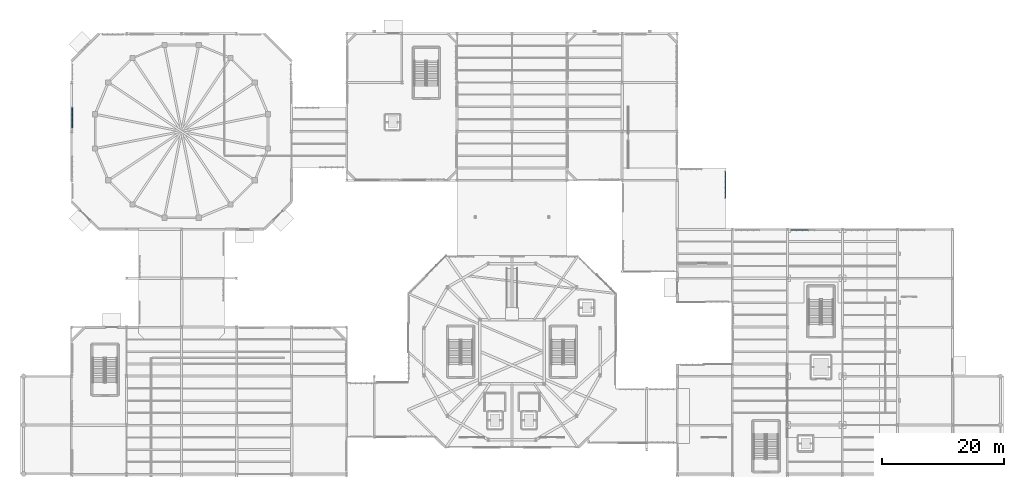
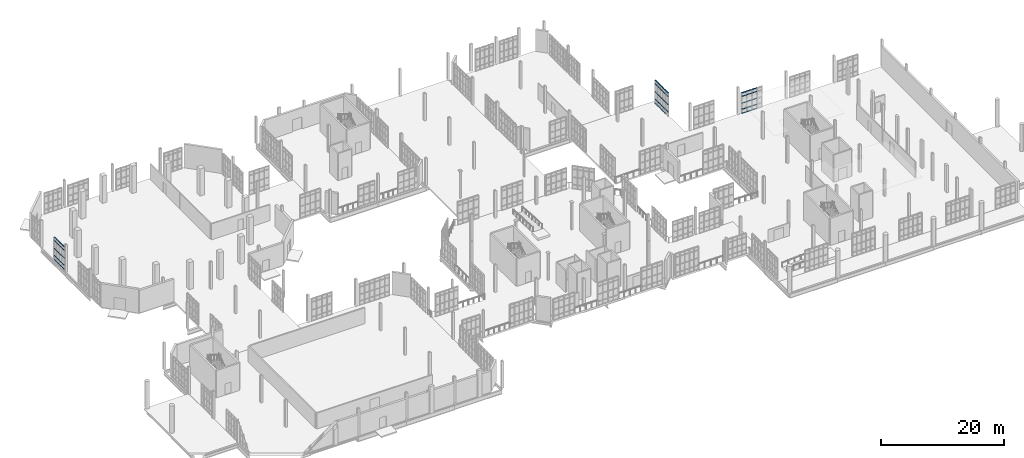
# One storey, part 131 of 189: 59 members, 3 elements without a shape of their own.
"""IFC4 building model written with IfcOpenShell, lengths in metres."""

from ifc_helpers import new_model, si_unit, direction, frame, origin, origin_2d, place, context, subcontext, project, spatial, hollow_rectangle, extrude, material, layer, layer_set, material_profile, profile_set, type_object, element, aggregate, save


model = new_model("IFC4")

# Units and contexts
model_context = context("Model", 3, precision=1e-05, world=origin(), true_north=direction((0.0, 1.0)))
body_context = subcontext(model_context, "Body", "Model", "MODEL_VIEW")
ifc_project = project(units=[si_unit("LENGTHUNIT", "METRE"), si_unit("AREAUNIT", "SQUARE_METRE"), si_unit("VOLUMEUNIT", "CUBIC_METRE"), si_unit("PLANEANGLEUNIT", "RADIAN"), si_unit("MASSUNIT", "GRAM", prefix="KILO"), si_unit("THERMODYNAMICTEMPERATUREUNIT", "KELVIN"), si_unit("POWERUNIT", "WATT")], contexts=[model_context])

# Site, building, storey
site_placement = place(None, origin())
site = spatial("IfcSite", under=ifc_project, at=site_placement, CompositionType="ELEMENT")
building_placement = place(site_placement, origin())
building = spatial("IfcBuilding", under=site, at=building_placement, Name="Zelmaris Science Centre", CompositionType="ELEMENT")
storey_placement = place(building_placement, origin())
storey = spatial("IfcBuildingStorey", under=building, at=storey_placement, Name="L00", CompositionType="ELEMENT", Elevation=0.0)

# Curtain wall, members
ifc_material = material(Name="Anodised architectural aluminium 6063-T6", Category="aluminium")
ifc_layer_1 = layer(ifc_material, 0.2099609375, Name="Anodised architectural aluminium 6063-T6")
ifc_layer_set_1 = layer_set([ifc_layer_1], Name="Anodised architectural aluminium 6063-T6")
curtain_wall_type_1 = type_object("IfcCurtainWallType", Name="Curtain Wall CW-03", PredefinedType="USERDEFINED", material=ifc_layer_set_1)
curtain_wall_1_placement = place(storey_placement, origin())
curtain_wall_1 = element("IfcCurtainWall", 1, at=curtain_wall_1_placement, inside=storey, type_object=curtain_wall_type_1, Name="L00 Unitised curtain wall 91", ObjectType="GLAZED CURTAIN WALL", PredefinedType="USERDEFINED")
ifc_material_profile_1 = material_profile(ifc_material, hollow_rectangle(XDim=0.06494140625, YDim=0.1298828125, WallThickness=0.00341796875, at=origin_2d()), Name="ALU-TRN-65X130")
ifc_profile_set_1 = profile_set([ifc_material_profile_1], Name="Anodised architectural aluminium 6063-T6")
member_type_1 = type_object("IfcMemberType", Name="ALU-TRN-65X130", PredefinedType="USERDEFINED", material=ifc_profile_set_1)
member_1_placement = place(storey_placement, frame((115.8798828125, 65.40283203125, 0.013427734375), z_axis=(0.0, -1.0, 0.0), x_axis=(0.0, 0.0, 1.0)))
member_1 = element("IfcMember", 2, at=member_1_placement, type_object=member_type_1, Name="CW-03 transom 1.1", ObjectType="TRANSOM", PredefinedType="USERDEFINED", context=body_context, shape_type="SweptSolid", body=[
    extrude(hollow_rectangle(XDim=0.06494140625, YDim=0.1298828125, WallThickness=0.00341796875, at=origin_2d()), origin(), (0.0, 0.0, 1.0), 0.788330078125),
])
member_2_placement = place(storey_placement, frame((115.8798828125, 65.40283203125, 0.8349609375), z_axis=(0.0, -1.0, 0.0), x_axis=(0.0, 0.0, 1.0)))
member_2 = element("IfcMember", 3, at=member_2_placement, type_object=member_type_1, Name="CW-03 transom 1.2", ObjectType="TRANSOM", PredefinedType="USERDEFINED", context=body_context, shape_type="SweptSolid", body=[
    extrude(hollow_rectangle(XDim=0.06494140625, YDim=0.1298828125, WallThickness=0.00341796875, at=origin_2d()), origin(), (0.0, 0.0, 1.0), 0.788330078125),
])
member_3_placement = place(storey_placement, frame((115.8798828125, 65.40283203125, 2.29248046875), z_axis=(0.0, -1.0, 0.0), x_axis=(0.0, 0.0, 1.0)))
member_3 = element("IfcMember", 4, at=member_3_placement, type_object=member_type_1, Name="CW-03 transom 1.3", ObjectType="TRANSOM", PredefinedType="USERDEFINED", context=body_context, shape_type="SweptSolid", body=[
    extrude(hollow_rectangle(XDim=0.06494140625, YDim=0.1298828125, WallThickness=0.00341796875, at=origin_2d()), origin(), (0.0, 0.0, 1.0), 0.788330078125),
])
member_4_placement = place(storey_placement, frame((115.8798828125, 65.40283203125, 3.89990234375), z_axis=(0.0, -1.0, 0.0), x_axis=(0.0, 0.0, 1.0)))
member_4 = element("IfcMember", 5, at=member_4_placement, type_object=member_type_1, Name="CW-03 transom 1.4", ObjectType="TRANSOM", PredefinedType="USERDEFINED", context=body_context, shape_type="SweptSolid", body=[
    extrude(hollow_rectangle(XDim=0.06494140625, YDim=0.1298828125, WallThickness=0.00341796875, at=origin_2d()), origin(), (0.0, 0.0, 1.0), 0.788330078125),
])
member_5_placement = place(storey_placement, frame((115.8798828125, 65.40283203125, 4.571533203125), z_axis=(0.0, -1.0, 0.0), x_axis=(0.0, 0.0, 1.0)))
member_5 = element("IfcMember", 6, at=member_5_placement, type_object=member_type_1, Name="CW-03 transom 1.5", ObjectType="TRANSOM", PredefinedType="USERDEFINED", context=body_context, shape_type="SweptSolid", body=[
    extrude(hollow_rectangle(XDim=0.06494140625, YDim=0.1298828125, WallThickness=0.00341796875, at=origin_2d()), origin(), (0.0, 0.0, 1.0), 0.788330078125),
])
member_6_placement = place(storey_placement, frame((115.8798828125, 64.557373046875, 0.013427734375), z_axis=(0.0, -1.0, 0.0), x_axis=(0.0, 0.0, 1.0)))
member_6 = element("IfcMember", 7, at=member_6_placement, type_object=member_type_1, Name="CW-03 transom 2.1", ObjectType="TRANSOM", PredefinedType="USERDEFINED", context=body_context, shape_type="SweptSolid", body=[
    extrude(hollow_rectangle(XDim=0.06494140625, YDim=0.1298828125, WallThickness=0.00341796875, at=origin_2d()), origin(), (0.0, 0.0, 1.0), 0.81689453125),
])
member_7_placement = place(storey_placement, frame((115.8798828125, 64.557373046875, 0.8349609375), z_axis=(0.0, -1.0, 0.0), x_axis=(0.0, 0.0, 1.0)))
member_7 = element("IfcMember", 8, at=member_7_placement, type_object=member_type_1, Name="CW-03 transom 2.2", ObjectType="TRANSOM", PredefinedType="USERDEFINED", context=body_context, shape_type="SweptSolid", body=[
    extrude(hollow_rectangle(XDim=0.06494140625, YDim=0.1298828125, WallThickness=0.00341796875, at=origin_2d()), origin(), (0.0, 0.0, 1.0), 0.81689453125),
])
member_8_placement = place(storey_placement, frame((115.8798828125, 64.557373046875, 2.29248046875), z_axis=(0.0, -1.0, 0.0), x_axis=(0.0, 0.0, 1.0)))
member_8 = element("IfcMember", 9, at=member_8_placement, type_object=member_type_1, Name="CW-03 transom 2.3", ObjectType="TRANSOM", PredefinedType="USERDEFINED", context=body_context, shape_type="SweptSolid", body=[
    extrude(hollow_rectangle(XDim=0.06494140625, YDim=0.1298828125, WallThickness=0.00341796875, at=origin_2d()), origin(), (0.0, 0.0, 1.0), 0.81689453125),
])
member_9_placement = place(storey_placement, frame((115.8798828125, 64.557373046875, 3.89990234375), z_axis=(0.0, -1.0, 0.0), x_axis=(0.0, 0.0, 1.0)))
member_9 = element("IfcMember", 10, at=member_9_placement, type_object=member_type_1, Name="CW-03 transom 2.4", ObjectType="TRANSOM", PredefinedType="USERDEFINED", context=body_context, shape_type="SweptSolid", body=[
    extrude(hollow_rectangle(XDim=0.06494140625, YDim=0.1298828125, WallThickness=0.00341796875, at=origin_2d()), origin(), (0.0, 0.0, 1.0), 0.81689453125),
])
member_10_placement = place(storey_placement, frame((115.8798828125, 64.557373046875, 4.571533203125), z_axis=(0.0, -1.0, 0.0), x_axis=(0.0, 0.0, 1.0)))
member_10 = element("IfcMember", 11, at=member_10_placement, type_object=member_type_1, Name="CW-03 transom 2.5", ObjectType="TRANSOM", PredefinedType="USERDEFINED", context=body_context, shape_type="SweptSolid", body=[
    extrude(hollow_rectangle(XDim=0.06494140625, YDim=0.1298828125, WallThickness=0.00341796875, at=origin_2d()), origin(), (0.0, 0.0, 1.0), 0.81689453125),
])
member_11_placement = place(storey_placement, frame((115.8798828125, 63.683349609375, 0.013427734375), z_axis=(0.0, -1.0, 0.0), x_axis=(0.0, 0.0, 1.0)))
member_11 = element("IfcMember", 12, at=member_11_placement, type_object=member_type_1, Name="CW-03 transom 3.1", ObjectType="TRANSOM", PredefinedType="USERDEFINED", context=body_context, shape_type="SweptSolid", body=[
    extrude(hollow_rectangle(XDim=0.06494140625, YDim=0.1298828125, WallThickness=0.00341796875, at=origin_2d()), origin(), (0.0, 0.0, 1.0), 0.81689453125),
])
member_12_placement = place(storey_placement, frame((115.8798828125, 63.683349609375, 0.8349609375), z_axis=(0.0, -1.0, 0.0), x_axis=(0.0, 0.0, 1.0)))
member_12 = element("IfcMember", 13, at=member_12_placement, type_object=member_type_1, Name="CW-03 transom 3.2", ObjectType="TRANSOM", PredefinedType="USERDEFINED", context=body_context, shape_type="SweptSolid", body=[
    extrude(hollow_rectangle(XDim=0.06494140625, YDim=0.1298828125, WallThickness=0.00341796875, at=origin_2d()), origin(), (0.0, 0.0, 1.0), 0.81689453125),
])
member_13_placement = place(storey_placement, frame((115.8798828125, 63.683349609375, 2.29248046875), z_axis=(0.0, -1.0, 0.0), x_axis=(0.0, 0.0, 1.0)))
member_13 = element("IfcMember", 14, at=member_13_placement, type_object=member_type_1, Name="CW-03 transom 3.3", ObjectType="TRANSOM", PredefinedType="USERDEFINED", context=body_context, shape_type="SweptSolid", body=[
    extrude(hollow_rectangle(XDim=0.06494140625, YDim=0.1298828125, WallThickness=0.00341796875, at=origin_2d()), origin(), (0.0, 0.0, 1.0), 0.81689453125),
])
member_14_placement = place(storey_placement, frame((115.8798828125, 63.683349609375, 3.89990234375), z_axis=(0.0, -1.0, 0.0), x_axis=(0.0, 0.0, 1.0)))
member_14 = element("IfcMember", 15, at=member_14_placement, type_object=member_type_1, Name="CW-03 transom 3.4", ObjectType="TRANSOM", PredefinedType="USERDEFINED", context=body_context, shape_type="SweptSolid", body=[
    extrude(hollow_rectangle(XDim=0.06494140625, YDim=0.1298828125, WallThickness=0.00341796875, at=origin_2d()), origin(), (0.0, 0.0, 1.0), 0.81689453125),
])
member_15_placement = place(storey_placement, frame((115.8798828125, 63.683349609375, 4.571533203125), z_axis=(0.0, -1.0, 0.0), x_axis=(0.0, 0.0, 1.0)))
member_15 = element("IfcMember", 16, at=member_15_placement, type_object=member_type_1, Name="CW-03 transom 3.5", ObjectType="TRANSOM", PredefinedType="USERDEFINED", context=body_context, shape_type="SweptSolid", body=[
    extrude(hollow_rectangle(XDim=0.06494140625, YDim=0.1298828125, WallThickness=0.00341796875, at=origin_2d()), origin(), (0.0, 0.0, 1.0), 0.81689453125),
])
member_16_placement = place(storey_placement, frame((115.8798828125, 62.8095703125, 0.013427734375), z_axis=(0.0, -1.0, 0.0), x_axis=(0.0, 0.0, 1.0)))
member_16 = element("IfcMember", 17, at=member_16_placement, type_object=member_type_1, Name="CW-03 transom 4.1", ObjectType="TRANSOM", PredefinedType="USERDEFINED", context=body_context, shape_type="SweptSolid", body=[
    extrude(hollow_rectangle(XDim=0.06494140625, YDim=0.1298828125, WallThickness=0.00341796875, at=origin_2d()), origin(), (0.0, 0.0, 1.0), 0.817138671875),
])
member_17_placement = place(storey_placement, frame((115.8798828125, 62.8095703125, 0.8349609375), z_axis=(0.0, -1.0, 0.0), x_axis=(0.0, 0.0, 1.0)))
member_17 = element("IfcMember", 18, at=member_17_placement, type_object=member_type_1, Name="CW-03 transom 4.2", ObjectType="TRANSOM", PredefinedType="USERDEFINED", context=body_context, shape_type="SweptSolid", body=[
    extrude(hollow_rectangle(XDim=0.06494140625, YDim=0.1298828125, WallThickness=0.00341796875, at=origin_2d()), origin(), (0.0, 0.0, 1.0), 0.817138671875),
])
member_18_placement = place(storey_placement, frame((115.8798828125, 62.8095703125, 2.29248046875), z_axis=(0.0, -1.0, 0.0), x_axis=(0.0, 0.0, 1.0)))
member_18 = element("IfcMember", 19, at=member_18_placement, type_object=member_type_1, Name="CW-03 transom 4.3", ObjectType="TRANSOM", PredefinedType="USERDEFINED", context=body_context, shape_type="SweptSolid", body=[
    extrude(hollow_rectangle(XDim=0.06494140625, YDim=0.1298828125, WallThickness=0.00341796875, at=origin_2d()), origin(), (0.0, 0.0, 1.0), 0.817138671875),
])
member_19_placement = place(storey_placement, frame((115.8798828125, 62.8095703125, 3.89990234375), z_axis=(0.0, -1.0, 0.0), x_axis=(0.0, 0.0, 1.0)))
member_19 = element("IfcMember", 20, at=member_19_placement, type_object=member_type_1, Name="CW-03 transom 4.4", ObjectType="TRANSOM", PredefinedType="USERDEFINED", context=body_context, shape_type="SweptSolid", body=[
    extrude(hollow_rectangle(XDim=0.06494140625, YDim=0.1298828125, WallThickness=0.00341796875, at=origin_2d()), origin(), (0.0, 0.0, 1.0), 0.817138671875),
])
member_20_placement = place(storey_placement, frame((115.8798828125, 62.8095703125, 4.571533203125), z_axis=(0.0, -1.0, 0.0), x_axis=(0.0, 0.0, 1.0)))
member_20 = element("IfcMember", 21, at=member_20_placement, type_object=member_type_1, Name="CW-03 transom 4.5", ObjectType="TRANSOM", PredefinedType="USERDEFINED", context=body_context, shape_type="SweptSolid", body=[
    extrude(hollow_rectangle(XDim=0.06494140625, YDim=0.1298828125, WallThickness=0.00341796875, at=origin_2d()), origin(), (0.0, 0.0, 1.0), 0.817138671875),
])
member_21_placement = place(storey_placement, frame((115.8798828125, 61.935546875, 0.8349609375), z_axis=(0.0, -1.0, 0.0), x_axis=(0.0, 0.0, 1.0)))
member_21 = element("IfcMember", 22, at=member_21_placement, type_object=member_type_1, Name="CW-03 transom 5.2", ObjectType="TRANSOM", PredefinedType="USERDEFINED", context=body_context, shape_type="SweptSolid", body=[
    extrude(hollow_rectangle(XDim=0.06494140625, YDim=0.1298828125, WallThickness=0.00341796875, at=origin_2d()), origin(), (0.0, 0.0, 1.0), 0.78857421875),
])
member_22_placement = place(storey_placement, frame((115.8798828125, 61.935546875, 2.29248046875), z_axis=(0.0, -1.0, 0.0), x_axis=(0.0, 0.0, 1.0)))
member_22 = element("IfcMember", 23, at=member_22_placement, type_object=member_type_1, Name="CW-03 transom 5.3", ObjectType="TRANSOM", PredefinedType="USERDEFINED", context=body_context, shape_type="SweptSolid", body=[
    extrude(hollow_rectangle(XDim=0.06494140625, YDim=0.1298828125, WallThickness=0.00341796875, at=origin_2d()), origin(), (0.0, 0.0, 1.0), 0.78857421875),
])
member_23_placement = place(storey_placement, frame((115.8798828125, 61.935546875, 3.89990234375), z_axis=(0.0, -1.0, 0.0), x_axis=(0.0, 0.0, 1.0)))
member_23 = element("IfcMember", 24, at=member_23_placement, type_object=member_type_1, Name="CW-03 transom 5.4", ObjectType="TRANSOM", PredefinedType="USERDEFINED", context=body_context, shape_type="SweptSolid", body=[
    extrude(hollow_rectangle(XDim=0.06494140625, YDim=0.1298828125, WallThickness=0.00341796875, at=origin_2d()), origin(), (0.0, 0.0, 1.0), 0.78857421875),
])
member_24_placement = place(storey_placement, frame((115.8798828125, 61.935546875, 4.571533203125), z_axis=(0.0, -1.0, 0.0), x_axis=(0.0, 0.0, 1.0)))
member_24 = element("IfcMember", 25, at=member_24_placement, type_object=member_type_1, Name="CW-03 transom 5.5", ObjectType="TRANSOM", PredefinedType="USERDEFINED", context=body_context, shape_type="SweptSolid", body=[
    extrude(hollow_rectangle(XDim=0.06494140625, YDim=0.1298828125, WallThickness=0.00341796875, at=origin_2d()), origin(), (0.0, 0.0, 1.0), 0.78857421875),
])
aggregate(curtain_wall_1, [member_1, member_2, member_3, member_4, member_5, member_6, member_7, member_8, member_9, member_10, member_11, member_12, member_13, member_14, member_15, member_16, member_17, member_18, member_19, member_20, member_21, member_22, member_23, member_24])

curtain_wall_2_placement = place(storey_placement, origin())
curtain_wall_2 = element("IfcCurtainWall", 26, at=curtain_wall_2_placement, inside=storey, type_object=curtain_wall_type_1, Name="L00 Unitised curtain wall 95", ObjectType="GLAZED CURTAIN WALL", PredefinedType="USERDEFINED")
member_25_placement = place(storey_placement, frame((126.596923828125, 55.885009765625, 0.013427734375), z_axis=(1.0, 0.0, 0.0), x_axis=(0.0, 0.0, 1.0)))
member_25 = element("IfcMember", 27, at=member_25_placement, type_object=member_type_1, Name="CW-03 transom 1.1", ObjectType="TRANSOM", PredefinedType="USERDEFINED", context=body_context, shape_type="SweptSolid", body=[
    extrude(hollow_rectangle(XDim=0.06494140625, YDim=0.1298828125, WallThickness=0.00341796875, at=origin_2d()), origin(), (0.0, 0.0, 1.0), 0.8896484375),
])
member_26_placement = place(storey_placement, frame((126.596923828125, 55.885009765625, 0.8349609375), z_axis=(1.0, 0.0, 0.0), x_axis=(0.0, 0.0, 1.0)))
member_26 = element("IfcMember", 28, at=member_26_placement, type_object=member_type_1, Name="CW-03 transom 1.2", ObjectType="TRANSOM", PredefinedType="USERDEFINED", context=body_context, shape_type="SweptSolid", body=[
    extrude(hollow_rectangle(XDim=0.06494140625, YDim=0.1298828125, WallThickness=0.00341796875, at=origin_2d()), origin(), (0.0, 0.0, 1.0), 0.8896484375),
])
member_27_placement = place(storey_placement, frame((126.596923828125, 55.885009765625, 2.03955078125), z_axis=(1.0, 0.0, 0.0), x_axis=(0.0, 0.0, 1.0)))
member_27 = element("IfcMember", 29, at=member_27_placement, type_object=member_type_1, Name="CW-03 transom 1.3", ObjectType="TRANSOM", PredefinedType="USERDEFINED", context=body_context, shape_type="SweptSolid", body=[
    extrude(hollow_rectangle(XDim=0.06494140625, YDim=0.1298828125, WallThickness=0.00341796875, at=origin_2d()), origin(), (0.0, 0.0, 1.0), 0.8896484375),
])
member_28_placement = place(storey_placement, frame((126.596923828125, 55.885009765625, 3.39404296875), z_axis=(1.0, 0.0, 0.0), x_axis=(0.0, 0.0, 1.0)))
member_28 = element("IfcMember", 30, at=member_28_placement, type_object=member_type_1, Name="CW-03 transom 1.4", ObjectType="TRANSOM", PredefinedType="USERDEFINED", context=body_context, shape_type="SweptSolid", body=[
    extrude(hollow_rectangle(XDim=0.06494140625, YDim=0.1298828125, WallThickness=0.00341796875, at=origin_2d()), origin(), (0.0, 0.0, 1.0), 0.8896484375),
])
member_29_placement = place(storey_placement, frame((126.596923828125, 55.885009765625, 4.0654296875), z_axis=(1.0, 0.0, 0.0), x_axis=(0.0, 0.0, 1.0)))
member_29 = element("IfcMember", 31, at=member_29_placement, type_object=member_type_1, Name="CW-03 transom 1.5", ObjectType="TRANSOM", PredefinedType="USERDEFINED", context=body_context, shape_type="SweptSolid", body=[
    extrude(hollow_rectangle(XDim=0.06494140625, YDim=0.1298828125, WallThickness=0.00341796875, at=origin_2d()), origin(), (0.0, 0.0, 1.0), 0.8896484375),
])
member_30_placement = place(storey_placement, frame((127.54345703125, 55.885009765625, 0.013427734375), z_axis=(0.999999964633, -0.000265957437, 0.0), x_axis=(0.0, 0.0, 1.0)))
member_30 = element("IfcMember", 32, at=member_30_placement, type_object=member_type_1, Name="CW-03 transom 2.1", ObjectType="TRANSOM", PredefinedType="USERDEFINED", context=body_context, shape_type="SweptSolid", body=[
    extrude(hollow_rectangle(XDim=0.06494140625, YDim=0.1298828125, WallThickness=0.00341796875, at=origin_2d()), origin(), (0.0, 0.0, 1.0), 0.91796875),
])
member_31_placement = place(storey_placement, frame((127.54345703125, 55.885009765625, 0.8349609375), z_axis=(0.999999964633, -0.000265957437, 0.0), x_axis=(0.0, 0.0, 1.0)))
member_31 = element("IfcMember", 33, at=member_31_placement, type_object=member_type_1, Name="CW-03 transom 2.2", ObjectType="TRANSOM", PredefinedType="USERDEFINED", context=body_context, shape_type="SweptSolid", body=[
    extrude(hollow_rectangle(XDim=0.06494140625, YDim=0.1298828125, WallThickness=0.00341796875, at=origin_2d()), origin(), (0.0, 0.0, 1.0), 0.91796875),
])
member_32_placement = place(storey_placement, frame((127.54345703125, 55.885009765625, 2.03955078125), z_axis=(0.999999964633, -0.000265957437, 0.0), x_axis=(0.0, 0.0, 1.0)))
member_32 = element("IfcMember", 34, at=member_32_placement, type_object=member_type_1, Name="CW-03 transom 2.3", ObjectType="TRANSOM", PredefinedType="USERDEFINED", context=body_context, shape_type="SweptSolid", body=[
    extrude(hollow_rectangle(XDim=0.06494140625, YDim=0.1298828125, WallThickness=0.00341796875, at=origin_2d()), origin(), (0.0, 0.0, 1.0), 0.91796875),
])
member_33_placement = place(storey_placement, frame((127.54345703125, 55.885009765625, 3.39404296875), z_axis=(0.999999964633, -0.000265957437, 0.0), x_axis=(0.0, 0.0, 1.0)))
member_33 = element("IfcMember", 35, at=member_33_placement, type_object=member_type_1, Name="CW-03 transom 2.4", ObjectType="TRANSOM", PredefinedType="USERDEFINED", context=body_context, shape_type="SweptSolid", body=[
    extrude(hollow_rectangle(XDim=0.06494140625, YDim=0.1298828125, WallThickness=0.00341796875, at=origin_2d()), origin(), (0.0, 0.0, 1.0), 0.91796875),
])
member_34_placement = place(storey_placement, frame((127.54345703125, 55.885009765625, 4.0654296875), z_axis=(0.999999964633, -0.000265957437, 0.0), x_axis=(0.0, 0.0, 1.0)))
member_34 = element("IfcMember", 36, at=member_34_placement, type_object=member_type_1, Name="CW-03 transom 2.5", ObjectType="TRANSOM", PredefinedType="USERDEFINED", context=body_context, shape_type="SweptSolid", body=[
    extrude(hollow_rectangle(XDim=0.06494140625, YDim=0.1298828125, WallThickness=0.00341796875, at=origin_2d()), origin(), (0.0, 0.0, 1.0), 0.91796875),
])
member_35_placement = place(storey_placement, frame((128.5185546875, 55.884765625, 0.013427734375), z_axis=(0.999999964633, -0.000265957437, 0.0), x_axis=(0.0, 0.0, 1.0)))
member_35 = element("IfcMember", 37, at=member_35_placement, type_object=member_type_1, Name="CW-03 transom 3.1", ObjectType="TRANSOM", PredefinedType="USERDEFINED", context=body_context, shape_type="SweptSolid", body=[
    extrude(hollow_rectangle(XDim=0.06494140625, YDim=0.1298828125, WallThickness=0.00341796875, at=origin_2d()), origin(), (0.0, 0.0, 1.0), 0.91796875),
])
member_36_placement = place(storey_placement, frame((128.5185546875, 55.884765625, 0.8349609375), z_axis=(0.999999964633, -0.000265957437, 0.0), x_axis=(0.0, 0.0, 1.0)))
member_36 = element("IfcMember", 38, at=member_36_placement, type_object=member_type_1, Name="CW-03 transom 3.2", ObjectType="TRANSOM", PredefinedType="USERDEFINED", context=body_context, shape_type="SweptSolid", body=[
    extrude(hollow_rectangle(XDim=0.06494140625, YDim=0.1298828125, WallThickness=0.00341796875, at=origin_2d()), origin(), (0.0, 0.0, 1.0), 0.91796875),
])
member_37_placement = place(storey_placement, frame((128.5185546875, 55.884765625, 2.03955078125), z_axis=(0.999999964633, -0.000265957437, 0.0), x_axis=(0.0, 0.0, 1.0)))
member_37 = element("IfcMember", 39, at=member_37_placement, type_object=member_type_1, Name="CW-03 transom 3.3", ObjectType="TRANSOM", PredefinedType="USERDEFINED", context=body_context, shape_type="SweptSolid", body=[
    extrude(hollow_rectangle(XDim=0.06494140625, YDim=0.1298828125, WallThickness=0.00341796875, at=origin_2d()), origin(), (0.0, 0.0, 1.0), 0.91796875),
])
member_38_placement = place(storey_placement, frame((128.5185546875, 55.884765625, 3.39404296875), z_axis=(0.999999964633, -0.000265957437, 0.0), x_axis=(0.0, 0.0, 1.0)))
member_38 = element("IfcMember", 40, at=member_38_placement, type_object=member_type_1, Name="CW-03 transom 3.4", ObjectType="TRANSOM", PredefinedType="USERDEFINED", context=body_context, shape_type="SweptSolid", body=[
    extrude(hollow_rectangle(XDim=0.06494140625, YDim=0.1298828125, WallThickness=0.00341796875, at=origin_2d()), origin(), (0.0, 0.0, 1.0), 0.91796875),
])
member_39_placement = place(storey_placement, frame((128.5185546875, 55.884765625, 4.0654296875), z_axis=(0.999999964633, -0.000265957437, 0.0), x_axis=(0.0, 0.0, 1.0)))
member_39 = element("IfcMember", 41, at=member_39_placement, type_object=member_type_1, Name="CW-03 transom 3.5", ObjectType="TRANSOM", PredefinedType="USERDEFINED", context=body_context, shape_type="SweptSolid", body=[
    extrude(hollow_rectangle(XDim=0.06494140625, YDim=0.1298828125, WallThickness=0.00341796875, at=origin_2d()), origin(), (0.0, 0.0, 1.0), 0.91796875),
])
aggregate(curtain_wall_2, [member_25, member_26, member_27, member_28, member_29, member_30, member_31, member_32, member_33, member_34, member_35, member_36, member_37, member_38, member_39])

ifc_layer_2 = layer(ifc_material, 0.199951171875, Name="Anodised architectural aluminium 6063-T6")
ifc_layer_set_2 = layer_set([ifc_layer_2], Name="Anodised architectural aluminium 6063-T6")
curtain_wall_type_2 = type_object("IfcCurtainWallType", Name="Curtain Wall CW-02", PredefinedType="USERDEFINED", material=ifc_layer_set_2)
curtain_wall_3_placement = place(storey_placement, origin())
curtain_wall_3 = element("IfcCurtainWall", 42, at=curtain_wall_3_placement, inside=storey, type_object=curtain_wall_type_2, Name="L00 Unitised curtain wall 14", ObjectType="GLAZED CURTAIN WALL", PredefinedType="USERDEFINED")
ifc_material_profile_2 = material_profile(ifc_material, hollow_rectangle(XDim=0.074951171875, YDim=0.159912109375, WallThickness=0.00390625, at=origin_2d()), Name="ALU-TRN-75X160")
ifc_profile_set_2 = profile_set([ifc_material_profile_2], Name="Anodised architectural aluminium 6063-T6")
member_type_2 = type_object("IfcMemberType", Name="ALU-TRN-75X160", PredefinedType="USERDEFINED", material=ifc_profile_set_2)
member_40_placement = place(storey_placement, frame((9.1201171875, 72.60693359375, 0.0185546875), z_axis=(0.0, 1.0, 0.0), x_axis=(0.0, 0.0, 1.0)))
member_40 = element("IfcMember", 43, at=member_40_placement, type_object=member_type_2, Name="CW-02 transom 1.1", ObjectType="TRANSOM", PredefinedType="USERDEFINED", context=body_context, shape_type="SweptSolid", body=[
    extrude(hollow_rectangle(XDim=0.074951171875, YDim=0.159912109375, WallThickness=0.00390625, at=origin_2d()), origin(), (0.0, 0.0, 1.0), 0.74951171875),
])
member_41_placement = place(storey_placement, frame((9.1201171875, 72.60693359375, 0.8349609375), z_axis=(0.0, 1.0, 0.0), x_axis=(0.0, 0.0, 1.0)))
member_41 = element("IfcMember", 44, at=member_41_placement, type_object=member_type_2, Name="CW-02 transom 1.2", ObjectType="TRANSOM", PredefinedType="USERDEFINED", context=body_context, shape_type="SweptSolid", body=[
    extrude(hollow_rectangle(XDim=0.074951171875, YDim=0.159912109375, WallThickness=0.00390625, at=origin_2d()), origin(), (0.0, 0.0, 1.0), 0.74951171875),
])
member_42_placement = place(storey_placement, frame((9.1201171875, 72.60693359375, 2.22900390625), z_axis=(0.0, 1.0, 0.0), x_axis=(0.0, 0.0, 1.0)))
member_42 = element("IfcMember", 45, at=member_42_placement, type_object=member_type_2, Name="CW-02 transom 1.3", ObjectType="TRANSOM", PredefinedType="USERDEFINED", context=body_context, shape_type="SweptSolid", body=[
    extrude(hollow_rectangle(XDim=0.074951171875, YDim=0.159912109375, WallThickness=0.00390625, at=origin_2d()), origin(), (0.0, 0.0, 1.0), 0.74951171875),
])
member_43_placement = place(storey_placement, frame((9.1201171875, 72.60693359375, 3.77294921875), z_axis=(0.0, 1.0, 0.0), x_axis=(0.0, 0.0, 1.0)))
member_43 = element("IfcMember", 46, at=member_43_placement, type_object=member_type_2, Name="CW-02 transom 1.4", ObjectType="TRANSOM", PredefinedType="USERDEFINED", context=body_context, shape_type="SweptSolid", body=[
    extrude(hollow_rectangle(XDim=0.074951171875, YDim=0.159912109375, WallThickness=0.00390625, at=origin_2d()), origin(), (0.0, 0.0, 1.0), 0.74951171875),
])
member_44_placement = place(storey_placement, frame((9.1201171875, 72.60693359375, 4.439453125), z_axis=(0.0, 1.0, 0.0), x_axis=(0.0, 0.0, 1.0)))
member_44 = element("IfcMember", 47, at=member_44_placement, type_object=member_type_2, Name="CW-02 transom 1.5", ObjectType="TRANSOM", PredefinedType="USERDEFINED", context=body_context, shape_type="SweptSolid", body=[
    extrude(hollow_rectangle(XDim=0.074951171875, YDim=0.159912109375, WallThickness=0.00390625, at=origin_2d()), origin(), (0.0, 0.0, 1.0), 0.74951171875),
])
member_45_placement = place(storey_placement, frame((9.1201171875, 73.423583984375, 0.0185546875), z_axis=(0.0, 1.0, 0.0), x_axis=(0.0, 0.0, 1.0)))
member_45 = element("IfcMember", 48, at=member_45_placement, type_object=member_type_2, Name="CW-02 transom 2.1", ObjectType="TRANSOM", PredefinedType="USERDEFINED", context=body_context, shape_type="SweptSolid", body=[
    extrude(hollow_rectangle(XDim=0.074951171875, YDim=0.159912109375, WallThickness=0.00390625, at=origin_2d()), origin(), (0.0, 0.0, 1.0), 0.782958984375),
])
member_46_placement = place(storey_placement, frame((9.1201171875, 73.423583984375, 0.8349609375), z_axis=(0.0, 1.0, 0.0), x_axis=(0.0, 0.0, 1.0)))
member_46 = element("IfcMember", 49, at=member_46_placement, type_object=member_type_2, Name="CW-02 transom 2.2", ObjectType="TRANSOM", PredefinedType="USERDEFINED", context=body_context, shape_type="SweptSolid", body=[
    extrude(hollow_rectangle(XDim=0.074951171875, YDim=0.159912109375, WallThickness=0.00390625, at=origin_2d()), origin(), (0.0, 0.0, 1.0), 0.782958984375),
])
member_47_placement = place(storey_placement, frame((9.1201171875, 73.423583984375, 2.22900390625), z_axis=(0.0, 1.0, 0.0), x_axis=(0.0, 0.0, 1.0)))
member_47 = element("IfcMember", 50, at=member_47_placement, type_object=member_type_2, Name="CW-02 transom 2.3", ObjectType="TRANSOM", PredefinedType="USERDEFINED", context=body_context, shape_type="SweptSolid", body=[
    extrude(hollow_rectangle(XDim=0.074951171875, YDim=0.159912109375, WallThickness=0.00390625, at=origin_2d()), origin(), (0.0, 0.0, 1.0), 0.782958984375),
])
member_48_placement = place(storey_placement, frame((9.1201171875, 73.423583984375, 3.77294921875), z_axis=(0.0, 1.0, 0.0), x_axis=(0.0, 0.0, 1.0)))
member_48 = element("IfcMember", 51, at=member_48_placement, type_object=member_type_2, Name="CW-02 transom 2.4", ObjectType="TRANSOM", PredefinedType="USERDEFINED", context=body_context, shape_type="SweptSolid", body=[
    extrude(hollow_rectangle(XDim=0.074951171875, YDim=0.159912109375, WallThickness=0.00390625, at=origin_2d()), origin(), (0.0, 0.0, 1.0), 0.782958984375),
])
member_49_placement = place(storey_placement, frame((9.1201171875, 73.423583984375, 4.439453125), z_axis=(0.0, 1.0, 0.0), x_axis=(0.0, 0.0, 1.0)))
member_49 = element("IfcMember", 52, at=member_49_placement, type_object=member_type_2, Name="CW-02 transom 2.5", ObjectType="TRANSOM", PredefinedType="USERDEFINED", context=body_context, shape_type="SweptSolid", body=[
    extrude(hollow_rectangle(XDim=0.074951171875, YDim=0.159912109375, WallThickness=0.00390625, at=origin_2d()), origin(), (0.0, 0.0, 1.0), 0.782958984375),
])
member_50_placement = place(storey_placement, frame((9.1201171875, 74.2734375, 0.0185546875), z_axis=(0.0, 1.0, 0.0), x_axis=(0.0, 0.0, 1.0)))
member_50 = element("IfcMember", 53, at=member_50_placement, type_object=member_type_2, Name="CW-02 transom 3.1", ObjectType="TRANSOM", PredefinedType="USERDEFINED", context=body_context, shape_type="SweptSolid", body=[
    extrude(hollow_rectangle(XDim=0.074951171875, YDim=0.159912109375, WallThickness=0.00390625, at=origin_2d()), origin(), (0.0, 0.0, 1.0), 0.782958984375),
])
member_51_placement = place(storey_placement, frame((9.1201171875, 74.2734375, 0.8349609375), z_axis=(0.0, 1.0, 0.0), x_axis=(0.0, 0.0, 1.0)))
member_51 = element("IfcMember", 54, at=member_51_placement, type_object=member_type_2, Name="CW-02 transom 3.2", ObjectType="TRANSOM", PredefinedType="USERDEFINED", context=body_context, shape_type="SweptSolid", body=[
    extrude(hollow_rectangle(XDim=0.074951171875, YDim=0.159912109375, WallThickness=0.00390625, at=origin_2d()), origin(), (0.0, 0.0, 1.0), 0.782958984375),
])
member_52_placement = place(storey_placement, frame((9.1201171875, 74.2734375, 2.22900390625), z_axis=(0.0, 1.0, 0.0), x_axis=(0.0, 0.0, 1.0)))
member_52 = element("IfcMember", 55, at=member_52_placement, type_object=member_type_2, Name="CW-02 transom 3.3", ObjectType="TRANSOM", PredefinedType="USERDEFINED", context=body_context, shape_type="SweptSolid", body=[
    extrude(hollow_rectangle(XDim=0.074951171875, YDim=0.159912109375, WallThickness=0.00390625, at=origin_2d()), origin(), (0.0, 0.0, 1.0), 0.782958984375),
])
member_53_placement = place(storey_placement, frame((9.1201171875, 74.2734375, 3.77294921875), z_axis=(0.0, 1.0, 0.0), x_axis=(0.0, 0.0, 1.0)))
member_53 = element("IfcMember", 56, at=member_53_placement, type_object=member_type_2, Name="CW-02 transom 3.4", ObjectType="TRANSOM", PredefinedType="USERDEFINED", context=body_context, shape_type="SweptSolid", body=[
    extrude(hollow_rectangle(XDim=0.074951171875, YDim=0.159912109375, WallThickness=0.00390625, at=origin_2d()), origin(), (0.0, 0.0, 1.0), 0.782958984375),
])
member_54_placement = place(storey_placement, frame((9.1201171875, 74.2734375, 4.439453125), z_axis=(0.0, 1.0, 0.0), x_axis=(0.0, 0.0, 1.0)))
member_54 = element("IfcMember", 57, at=member_54_placement, type_object=member_type_2, Name="CW-02 transom 3.5", ObjectType="TRANSOM", PredefinedType="USERDEFINED", context=body_context, shape_type="SweptSolid", body=[
    extrude(hollow_rectangle(XDim=0.074951171875, YDim=0.159912109375, WallThickness=0.00390625, at=origin_2d()), origin(), (0.0, 0.0, 1.0), 0.782958984375),
])
member_55_placement = place(storey_placement, frame((9.1201171875, 75.12353515625, 0.0185546875), z_axis=(0.0, 1.0, 0.0), x_axis=(0.0, 0.0, 1.0)))
member_55 = element("IfcMember", 58, at=member_55_placement, type_object=member_type_2, Name="CW-02 transom 4.1", ObjectType="TRANSOM", PredefinedType="USERDEFINED", context=body_context, shape_type="SweptSolid", body=[
    extrude(hollow_rectangle(XDim=0.074951171875, YDim=0.159912109375, WallThickness=0.00390625, at=origin_2d()), origin(), (0.0, 0.0, 1.0), 0.74951171875),
])
member_56_placement = place(storey_placement, frame((9.1201171875, 75.12353515625, 0.8349609375), z_axis=(0.0, 1.0, 0.0), x_axis=(0.0, 0.0, 1.0)))
member_56 = element("IfcMember", 59, at=member_56_placement, type_object=member_type_2, Name="CW-02 transom 4.2", ObjectType="TRANSOM", PredefinedType="USERDEFINED", context=body_context, shape_type="SweptSolid", body=[
    extrude(hollow_rectangle(XDim=0.074951171875, YDim=0.159912109375, WallThickness=0.00390625, at=origin_2d()), origin(), (0.0, 0.0, 1.0), 0.74951171875),
])
member_57_placement = place(storey_placement, frame((9.1201171875, 75.12353515625, 2.22900390625), z_axis=(0.0, 1.0, 0.0), x_axis=(0.0, 0.0, 1.0)))
member_57 = element("IfcMember", 60, at=member_57_placement, type_object=member_type_2, Name="CW-02 transom 4.3", ObjectType="TRANSOM", PredefinedType="USERDEFINED", context=body_context, shape_type="SweptSolid", body=[
    extrude(hollow_rectangle(XDim=0.074951171875, YDim=0.159912109375, WallThickness=0.00390625, at=origin_2d()), origin(), (0.0, 0.0, 1.0), 0.74951171875),
])
member_58_placement = place(storey_placement, frame((9.1201171875, 75.12353515625, 3.77294921875), z_axis=(0.0, 1.0, 0.0), x_axis=(0.0, 0.0, 1.0)))
member_58 = element("IfcMember", 61, at=member_58_placement, type_object=member_type_2, Name="CW-02 transom 4.4", ObjectType="TRANSOM", PredefinedType="USERDEFINED", context=body_context, shape_type="SweptSolid", body=[
    extrude(hollow_rectangle(XDim=0.074951171875, YDim=0.159912109375, WallThickness=0.00390625, at=origin_2d()), origin(), (0.0, 0.0, 1.0), 0.74951171875),
])
member_59_placement = place(storey_placement, frame((9.1201171875, 75.12353515625, 4.439453125), z_axis=(0.0, 1.0, 0.0), x_axis=(0.0, 0.0, 1.0)))
member_59 = element("IfcMember", 62, at=member_59_placement, type_object=member_type_2, Name="CW-02 transom 4.5", ObjectType="TRANSOM", PredefinedType="USERDEFINED", context=body_context, shape_type="SweptSolid", body=[
    extrude(hollow_rectangle(XDim=0.074951171875, YDim=0.159912109375, WallThickness=0.00390625, at=origin_2d()), origin(), (0.0, 0.0, 1.0), 0.74951171875),
])
aggregate(curtain_wall_3, [member_40, member_41, member_42, member_43, member_44, member_45, member_46, member_47, member_48, member_49, member_50, member_51, member_52, member_53, member_54, member_55, member_56, member_57, member_58, member_59])

save(model, "model.ifc")
